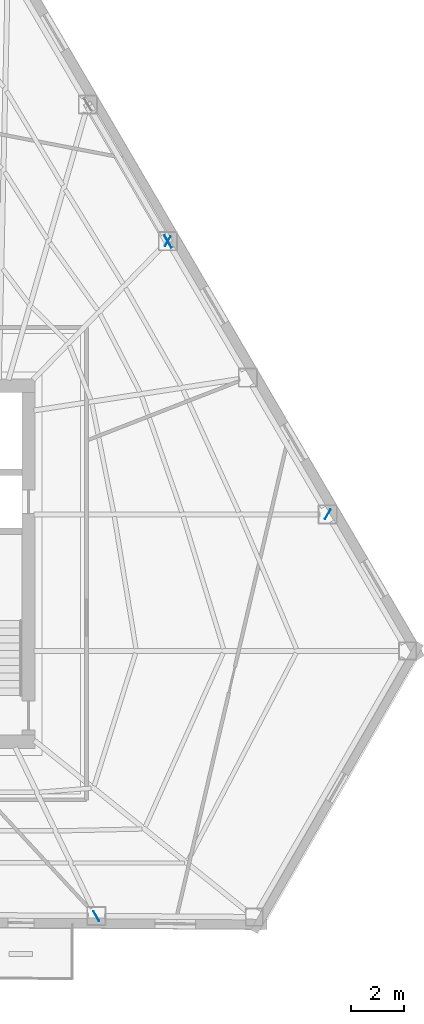
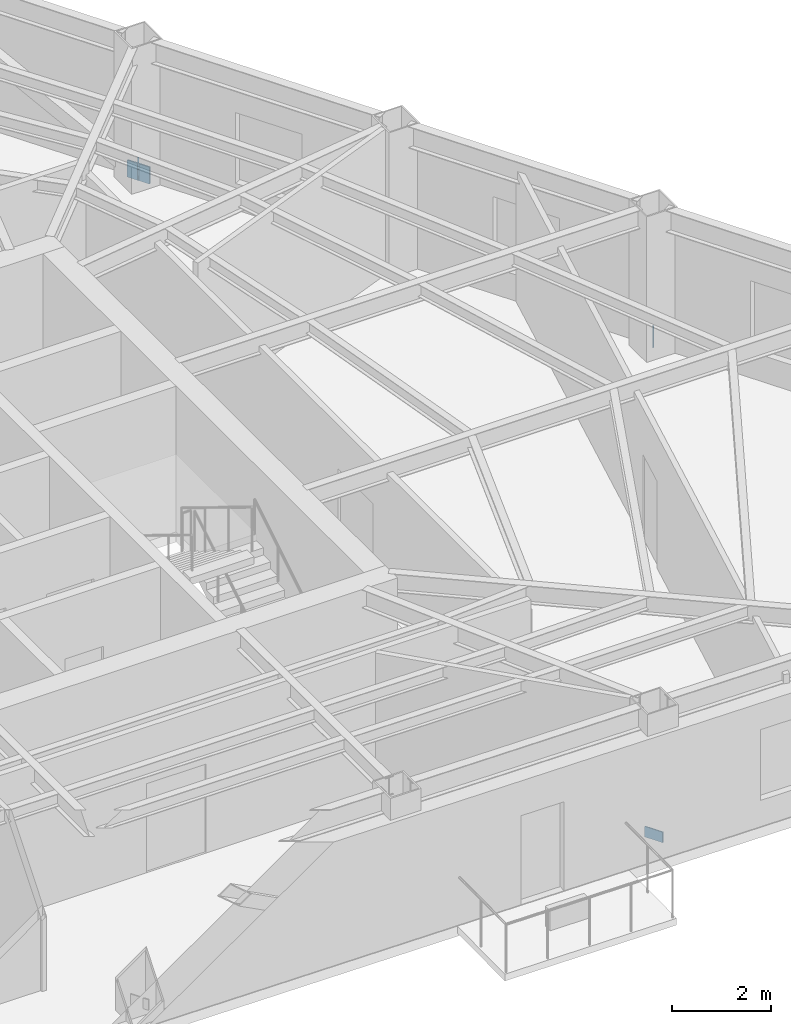
# One storey, part 6 of 12: 4 plates.
"""IFC4 building model written with IfcOpenShell, lengths in metres."""

from ifc_helpers import new_model, si_unit, direction, frame, origin, origin_2d, place, context, subcontext, project, spatial, rectangle, extrude, material, layer, layer_set, type_object, element, save


model = new_model("IFC4")

# Units and contexts
model_context = context("Model", 3, precision=1e-05, world=origin(), true_north=direction((0.0, 1.0)))
body_context = subcontext(model_context, "Body", "Model", "MODEL_VIEW")
ifc_project = project(units=[si_unit("LENGTHUNIT", "METRE"), si_unit("AREAUNIT", "SQUARE_METRE"), si_unit("VOLUMEUNIT", "CUBIC_METRE"), si_unit("PLANEANGLEUNIT", "RADIAN"), si_unit("MASSUNIT", "GRAM", prefix="KILO")], contexts=[model_context])

# Site, building, storey
site_placement = place(None, origin())
site = spatial("IfcSite", under=ifc_project, at=site_placement, CompositionType="ELEMENT")
building_placement = place(site_placement, origin())
building = spatial("IfcBuilding", under=site, at=building_placement, Name="Kavelnor Concourse Tower", CompositionType="ELEMENT")
storey_placement = place(building_placement, frame((0.0, 0.0, 120.14990234375)))
storey = spatial("IfcBuildingStorey", under=building, at=storey_placement, Name="L30", CompositionType="ELEMENT", Elevation=120.14990234375)

# Plates
ifc_material = material(Name="Steel Grade 350", Category="steel")
ifc_layer_1 = layer(ifc_material, 0.031982421875, Name="Steel Grade 350")
ifc_layer_set_1 = layer_set([ifc_layer_1], Name="Steel Grade 350")
plate_type_1 = type_object("IfcPlateType", Name="PL-GUSSET-TUBE-Z1", PredefinedType="USERDEFINED", material=ifc_layer_set_1)
plate_placement = place(storey_placement, frame((53.062744140625, 28.318115234375, 0.01025390625), z_axis=(0.0, 0.0, 1.0), x_axis=(-0.50513026462, 0.863043113503, 0.0)))
element("IfcPlate", 1, at=plate_placement, inside=storey, type_object=plate_type_1, Name="L30 Tube Brace Gusset GP3 F2-B3 End Gusset A", ObjectType="GUSSET_PLATE", PredefinedType="USERDEFINED", context=body_context, shape_type="SweptSolid", body=[
    extrude(rectangle(XDim=0.52001953125, YDim=0.031982421875, at=origin_2d()), origin(), (0.0, 0.0, 1.0), 0.419921875),
])
ifc_layer_2 = layer(ifc_material, 0.02490234375, Name="Steel Grade 350")
ifc_layer_set_2 = layer_set([ifc_layer_2], Name="Steel Grade 350")
plate_type_2 = type_object("IfcPlateType", Name="PL-SPLICE-FLANGE", PredefinedType="SHEET", material=ifc_layer_set_2)
for number, where, z_axis, x_axis, name in (
    (2, (50.34521484375, 2.743408203125, 0.169921875), (0.0, 0.0, 1.0), (-0.5, 0.866025403784, 0.0), "L30 Column Flange Splice Plate F1-B5"),
    (3, (59.11767578125, 17.97314453125, 0.169921875), (0.0, 0.0, 1.0), (-0.5, -0.866025403784, 0.0), "L30 Column Flange Splice Plate F2-B1"),
    (4, (53.056640625, 28.32861328125, 0.169921875), (0.0, 0.0, 1.0), (-0.5, -0.866025403784, 0.0), "L30 Column Flange Splice Plate F2-B3"),
):
    element("IfcPlate", number, at=place(storey_placement, frame(where, z_axis=z_axis, x_axis=x_axis)), inside=storey, type_object=plate_type_2, Name=name, PredefinedType="SHEET", context=body_context, shape_type="SweptSolid", body=[
        extrude(rectangle(XDim=0.419921875, YDim=0.02490234375, at=origin_2d()), origin(), (0.0, 0.0, 1.0), 0.260009765625),
    ])

save(model, "model.ifc")
